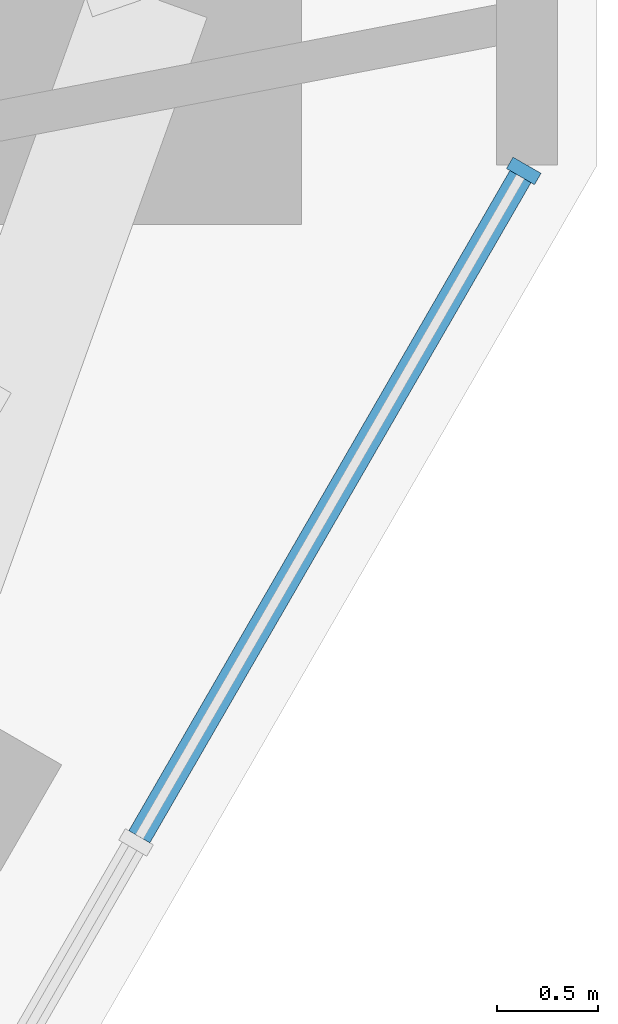
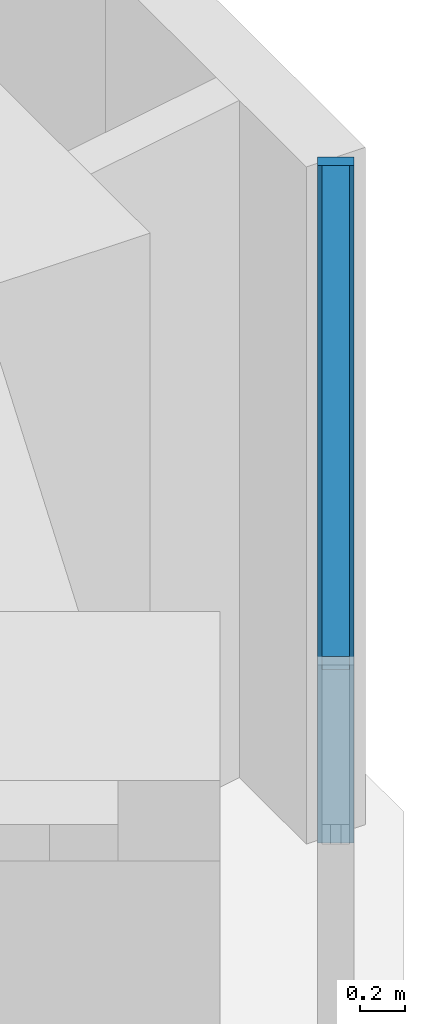
# One storey, part 6 of 17: 2 members, 1 element without a shape of its own.
"""IFC4 building model written with IfcOpenShell, lengths in metres."""

from ifc_helpers import new_model, si_unit, direction, frame, origin, origin_2d, place, context, subcontext, project, spatial, rectangle, extrude, material, material_profile, profile_set, type_object, element, aggregate, save


model = new_model("IFC4")

# Units and contexts
model_context = context("Model", 3, precision=1e-05, world=origin(), true_north=direction((0.0, 1.0)))
body_context = subcontext(model_context, "Body", "Model", "MODEL_VIEW")
ifc_project = project(units=[si_unit("LENGTHUNIT", "METRE"), si_unit("AREAUNIT", "SQUARE_METRE"), si_unit("VOLUMEUNIT", "CUBIC_METRE"), si_unit("PLANEANGLEUNIT", "RADIAN"), si_unit("MASSUNIT", "GRAM", prefix="KILO")], contexts=[model_context])

# Site, building, storey
site_placement = place(None, origin())
site = spatial("IfcSite", under=ifc_project, at=site_placement, CompositionType="ELEMENT")
building_placement = place(site_placement, origin())
building = spatial("IfcBuilding", under=site, at=building_placement, Name="Sandreach Pilgrim Tower", CompositionType="ELEMENT")
storey_placement = place(building_placement, frame((0.0, 0.0, 198.39990234375)))
storey = spatial("IfcBuildingStorey", under=building, at=storey_placement, Name="L49", CompositionType="ELEMENT", Elevation=198.39990234375)

# Curtain wall, members
ifc_material_1 = material(Name="Aluminium framed curtain wall", Category="aluminium")
curtain_wall_type = type_object("IfcCurtainWallType", Name="Upper hotel tower curtain wall", PredefinedType="NOTDEFINED", material=ifc_material_1)
curtain_wall_placement = place(storey_placement, origin())
curtain_wall = element("IfcCurtainWall", 1, at=curtain_wall_placement, inside=storey, type_object=curtain_wall_type, Name="CW-3 L49 SE", PredefinedType="NOTDEFINED")
ifc_material_2 = material(Name="Aluminium extrusion", Category="aluminium")
ifc_material_profile_1 = material_profile(ifc_material_2, rectangle(XDim=0.06494140625, YDim=0.159912109375, at=origin_2d()), Name="CW-3M 65X160")
ifc_profile_set_1 = profile_set([ifc_material_profile_1], Name="Aluminium extrusion")
member_type_1 = type_object("IfcMemberType", Name="CW-3 mullion", PredefinedType="MULLION", material=ifc_profile_set_1)
member_1_placement = place(storey_placement, frame((27.00390625, 4.451904296875, 0.0), z_axis=(0.0, 0.0, 1.0), x_axis=(-0.5, -0.866025403784, 0.0)))
member_1 = element("IfcMember", 2, at=member_1_placement, type_object=member_type_1, Name="CW-3 mullion 1", PredefinedType="MULLION", context=body_context, shape_type="SweptSolid", body=[
    extrude(rectangle(XDim=0.06494140625, YDim=0.159912109375, at=origin_2d()), origin(), (0.0, 0.0, 1.0), 3.64013671875),
])
ifc_material_3 = material(Name="Aluminium extrusion", Category="aluminium")
ifc_material_profile_2 = material_profile(ifc_material_3, rectangle(XDim=0.1201171875, YDim=0.070068359375, at=origin_2d()), Name="CW-3T 120X70")
ifc_profile_set_2 = profile_set([ifc_material_profile_2], Name="Aluminium extrusion")
member_type_2 = type_object("IfcMemberType", Name="CW-3 transom", PredefinedType="USERDEFINED", material=ifc_profile_set_2)
member_2_placement = place(storey_placement, frame((26.987548828125, 4.423828125, 3.60498046875), z_axis=(-0.499944992379, -0.86605716012, 0.0), x_axis=(0.86605716012, -0.499944992379, 0.0)))
member_2 = element("IfcMember", 3, at=member_2_placement, type_object=member_type_2, Name="CW-3 head transom 1", ObjectType="TRANSOM", PredefinedType="USERDEFINED", context=body_context, shape_type="SweptSolid", body=[
    extrude(rectangle(XDim=0.1201171875, YDim=0.070068359375, at=origin_2d()), origin(), (0.0, 0.0, 1.0), 3.76708984375),
])
aggregate(curtain_wall, [member_1, member_2])

save(model, "model.ifc")
